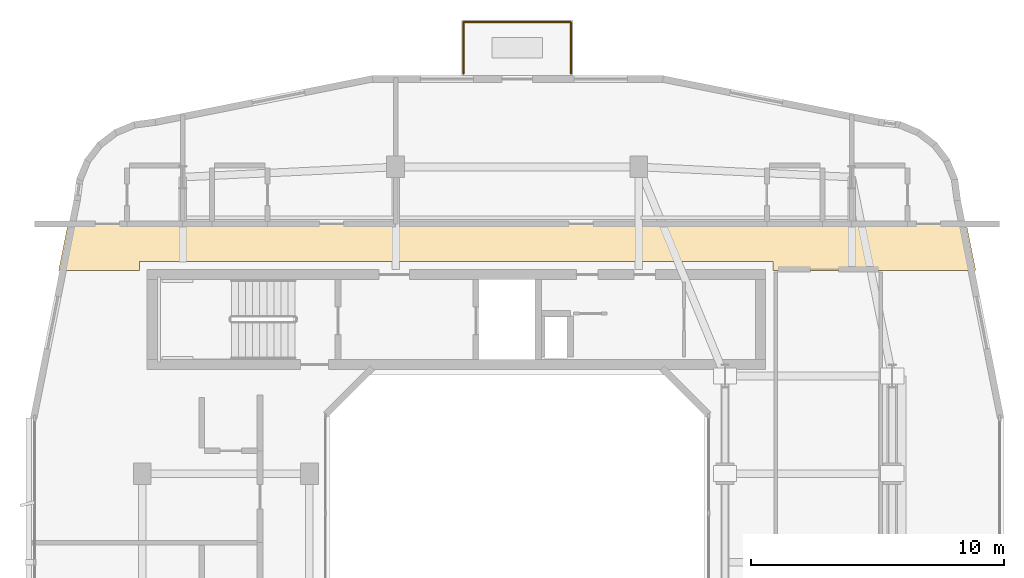
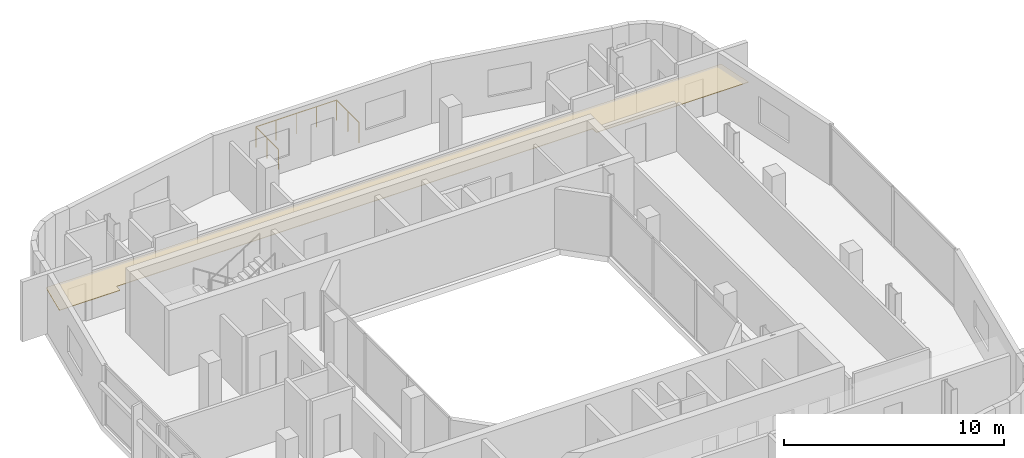
# One storey, part 13 of 13: 3 railings, 1 covering.
"""IFC4 building model written with IfcOpenShell, lengths in metres."""

from ifc_helpers import new_model, si_unit, derived_unit, direction, frame, origin, origin_2d, place, context, subcontext, project, spatial, polyline, circle, outline, extrude, material, layer, layer_set, type_object, element, save


model = new_model("IFC4")

# Units and contexts
model_context = context("Model", 3, precision=1e-05, world=origin(), true_north=direction((0.0, 1.0)))
body_context = subcontext(model_context, "Body", "Model", "MODEL_VIEW")
ifc_project = project(units=[si_unit("LENGTHUNIT", "METRE"), si_unit("AREAUNIT", "SQUARE_METRE"), si_unit("VOLUMEUNIT", "CUBIC_METRE"), si_unit("PLANEANGLEUNIT", "RADIAN"), si_unit("MASSUNIT", "GRAM", prefix="KILO"), derived_unit("THERMALTRANSMITTANCEUNIT", [(si_unit("POWERUNIT", "WATT"), 1), (si_unit("LENGTHUNIT", "METRE"), -2), (si_unit("THERMODYNAMICTEMPERATUREUNIT", "KELVIN"), -1)])], contexts=[model_context])

# Site, building, storey
site_placement = place(None, origin())
site = spatial("IfcSite", under=ifc_project, at=site_placement, CompositionType="ELEMENT")
building_placement = place(site_placement, origin())
building = spatial("IfcBuilding", under=site, at=building_placement, Name="Kivonza Crest Hotel", CompositionType="ELEMENT")
storey_placement = place(building_placement, frame((0.0, 0.0, 199.10009765625)))
storey = spatial("IfcBuildingStorey", under=building, at=storey_placement, Name="L54", CompositionType="ELEMENT", Elevation=199.10009765625)

# Covering
ifc_material_1 = material(Name="Moisture-resistant gypsum plasterboard ceiling", Category="gypsum")
ifc_layer = layer(ifc_material_1, 0.030029296875)
ifc_layer_set = layer_set([ifc_layer], Name="Moisture-resistant gypsum plasterboard ceiling")
covering_type = type_object("IfcCoveringType", Name="CV-CEIL-GYP", PredefinedType="CEILING", material=ifc_layer_set)
covering_placement = place(storey_placement, frame((0.0, 0.0, 2.449951171875)))
element("IfcCovering", 1, at=covering_placement, inside=storey, type_object=covering_type, Name="L54 Hotel North Guest Corridor suspended ceiling", PredefinedType="CEILING", context=body_context, shape_type="SweptSolid", body=[
    extrude(outline(polyline([(3.278076171875, 38.389892578125), (2.906005859375, 36.52001953125), (6.10009765625, 36.52001953125), (6.10009765625, 36.860107421875), (31.10009765625, 36.860107421875), (31.10009765625, 36.52001953125), (39.093994140625, 36.52001953125), (38.721923828125, 38.389892578125), (3.278076171875, 38.389892578125)])), origin(), (0.0, 0.0, 1.0), 0.030029296875),
])

# Railings
ifc_material_2 = material(Name="Laminated glass and stainless steel balustrade", Category="steel")
railing_type = type_object("IfcRailingType", Name="RL-TERR-1150", PredefinedType="BALUSTRADE", material=ifc_material_2)
railing_1_placement = place(storey_placement, frame((18.8798828125, 44.280029296875, 0.0)))
element("IfcRailing", 2, at=railing_1_placement, inside=storey, type_object=railing_type, Name="L54 T1-L54-SG-NE perimeter safety balustrade 1", PredefinedType="BALUSTRADE", context=body_context, shape_type="SweptSolid", body=[
    extrude(circle(Radius=0.02392578125, at=origin_2d()), frame((0.0, 0.0, 1.1259765625), z_axis=(0.0, 1.0, 0.0), x_axis=(-1.0, 0.0, 0.0)), (0.0, 0.0, 1.0), 2.0400390625),
    extrude(circle(Radius=0.02099609375, at=origin_2d()), origin(), (0.0, 0.0, 1.0), 1.101806640625),
    extrude(circle(Radius=0.02099609375, at=origin_2d()), frame((0.0, 1.02001953125, 0.0)), (0.0, 0.0, 1.0), 1.101806640625),
    extrude(circle(Radius=0.02099609375, at=origin_2d()), frame((0.0, 2.0400390625, 0.0)), (0.0, 0.0, 1.0), 1.101806640625),
])
railing_2_placement = place(storey_placement, frame((18.8798828125, 46.320068359375, 0.0)))
element("IfcRailing", 3, at=railing_2_placement, inside=storey, type_object=railing_type, Name="L54 T1-L54-SG-NE perimeter safety balustrade 2", PredefinedType="BALUSTRADE", context=body_context, shape_type="SweptSolid", body=[
    extrude(circle(Radius=0.02392578125, at=origin_2d()), frame((0.0, 0.0, 1.1259765625), z_axis=(1.0, 0.0, 0.0), x_axis=(0.0, 1.0, 0.0)), (0.0, 0.0, 1.0), 4.240234375),
    extrude(circle(Radius=0.02099609375, at=origin_2d()), origin(), (0.0, 0.0, 1.0), 1.101806640625),
    extrude(circle(Radius=0.02099609375, at=origin_2d()), frame((1.06005859375, 0.0, 0.0)), (0.0, 0.0, 1.0), 1.101806640625),
    extrude(circle(Radius=0.02099609375, at=origin_2d()), frame((2.1201171875, 0.0, 0.0)), (0.0, 0.0, 1.0), 1.101806640625),
    extrude(circle(Radius=0.02099609375, at=origin_2d()), frame((3.18017578125, 0.0, 0.0)), (0.0, 0.0, 1.0), 1.101806640625),
    extrude(circle(Radius=0.02099609375, at=origin_2d()), frame((4.240234375, 0.0, 0.0)), (0.0, 0.0, 1.0), 1.101806640625),
])
railing_3_placement = place(storey_placement, frame((23.1201171875, 46.320068359375, 0.0)))
element("IfcRailing", 4, at=railing_3_placement, inside=storey, type_object=railing_type, Name="L54 T1-L54-SG-NE perimeter safety balustrade 3", PredefinedType="BALUSTRADE", context=body_context, shape_type="SweptSolid", body=[
    extrude(circle(Radius=0.02392578125, at=origin_2d()), frame((0.0, 0.0, 1.1259765625), z_axis=(0.0, -1.0, 0.0), x_axis=(1.0, 0.0, 0.0)), (0.0, 0.0, 1.0), 2.0400390625),
    extrude(circle(Radius=0.02099609375, at=origin_2d()), origin(), (0.0, 0.0, 1.0), 1.101806640625),
    extrude(circle(Radius=0.02099609375, at=origin_2d()), frame((0.0, -1.02001953125, 0.0)), (0.0, 0.0, 1.0), 1.101806640625),
    extrude(circle(Radius=0.02099609375, at=origin_2d()), frame((0.0, -2.0400390625, 0.0)), (0.0, 0.0, 1.0), 1.101806640625),
])

save(model, "model.ifc")
